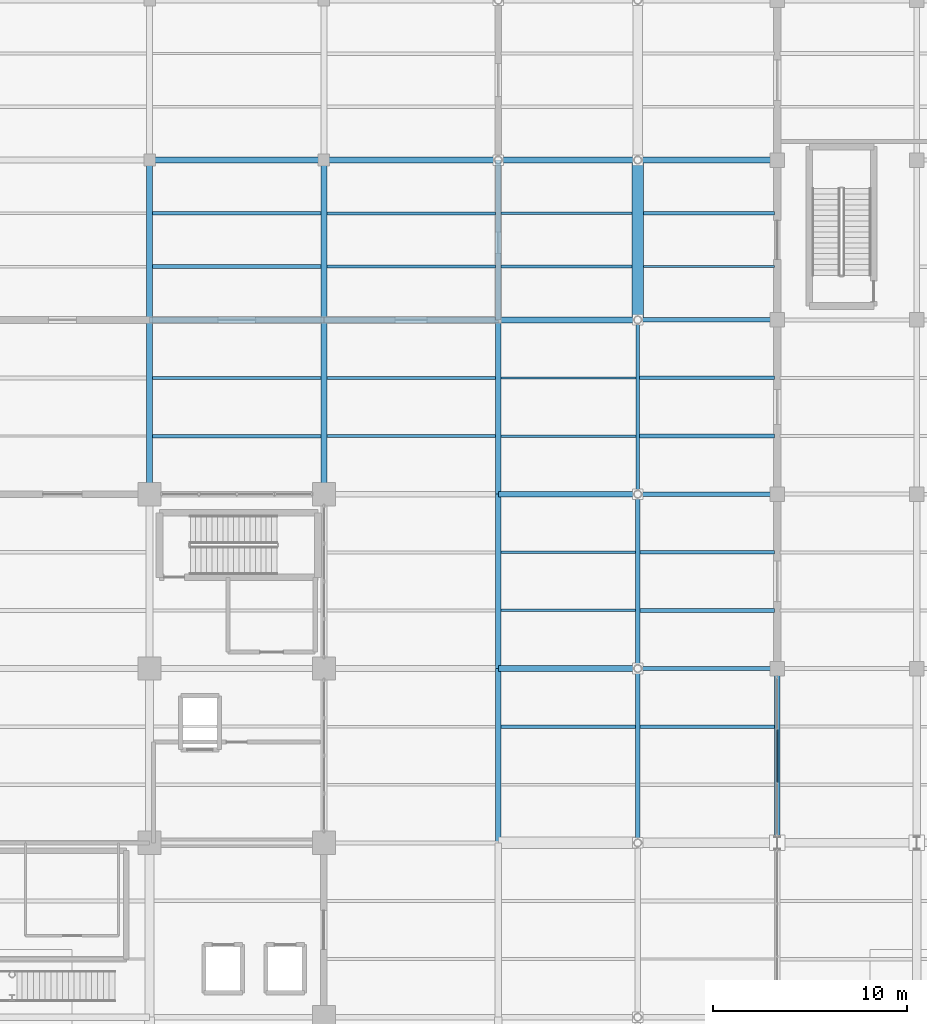
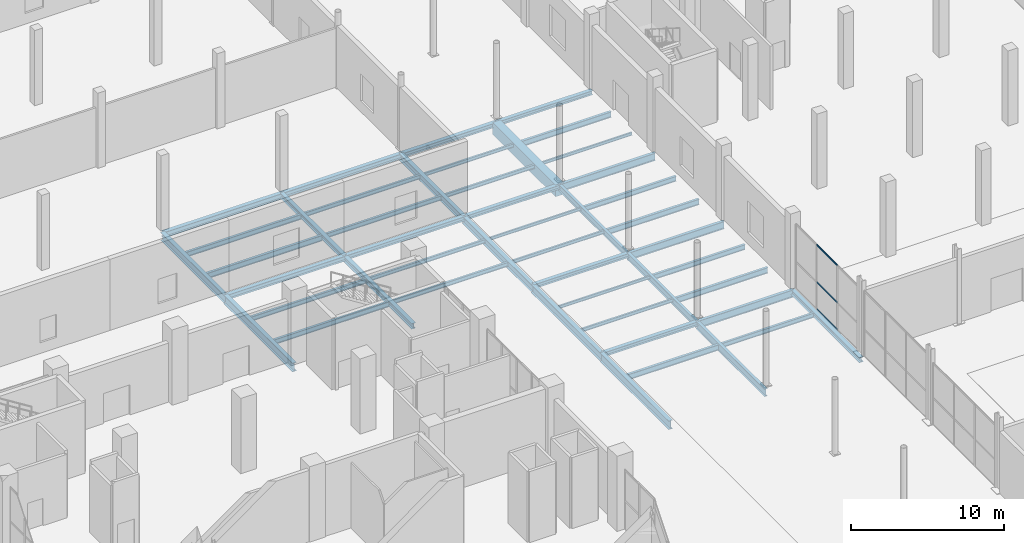
# One storey, part 65 of 144: 47 beams, 3 members, 1 element without a shape of its own.
"""IFC4 building model written with IfcOpenShell, lengths in metres."""

from ifc_helpers import new_model, si_unit, direction, frame, origin, origin_2d, place, context, subcontext, project, spatial, rectangle, hollow_rectangle, i_section, extrude, material, layer, layer_set, material_profile, profile_set, type_object, element, aggregate, save


model = new_model("IFC4")

# Units and contexts
model_context = context("Model", 3, precision=1e-05, world=origin(), true_north=direction((0.0, 1.0)))
body_context = subcontext(model_context, "Body", "Model", "MODEL_VIEW")
ifc_project = project(units=[si_unit("LENGTHUNIT", "METRE"), si_unit("AREAUNIT", "SQUARE_METRE"), si_unit("VOLUMEUNIT", "CUBIC_METRE"), si_unit("PLANEANGLEUNIT", "RADIAN"), si_unit("MASSUNIT", "GRAM", prefix="KILO")], contexts=[model_context])

# Site, building, storey
site_placement = place(None, origin())
site = spatial("IfcSite", under=ifc_project, at=site_placement, CompositionType="ELEMENT")
building_placement = place(site_placement, origin())
building = spatial("IfcBuilding", under=site, at=building_placement, Name="Sundgate Opera House", CompositionType="ELEMENT")
storey_placement = place(building_placement, origin())
storey = spatial("IfcBuildingStorey", under=building, at=storey_placement, Name="L00", CompositionType="ELEMENT", Elevation=0.0)

# Beams
ifc_material_1 = material(Name="Steel S355J2", Category="steel")
ifc_material_profile_1 = material_profile(ifc_material_1, i_section(OverallWidth=0.300048828125, OverallDepth=0.330078125, WebThickness=0.009521484375, FlangeThickness=0.0166015625, at=origin_2d()), Name="HEA 340")
ifc_profile_set_1 = profile_set([ifc_material_profile_1], Name="Steel S355J2")
beam_type_1 = type_object("IfcBeamType", Name="BM-GR-HEA340", PredefinedType="BEAM", material=ifc_profile_set_1)
for number, where, z_axis, x_axis, name in (
    (1, (81.0, 69.0, -0.485107421875), (1.0, 0.0, 0.0), (0.0, 1.0, 0.0), "L00 Primary E-W Girder B0467"),
    (2, (81.0, 78.0, -0.485107421875), (1.0, 0.0, 0.0), (0.0, 1.0, 0.0), "L00 Primary E-W Girder B0489"),
    (3, (81.0, 87.0, -0.485107421875), (1.0, 0.0, 0.0), (0.0, 1.0, 0.0), "L00 Primary E-W Girder B0511"),
    (4, (88.199951171875, 95.25, -0.485107421875), (1.0, 0.0, 0.0), (0.0, 1.0, 0.0), "L00 Primary E-W Girder B0533"),
):
    element("IfcBeam", number, at=place(storey_placement, frame(where, z_axis=z_axis, x_axis=x_axis)), inside=storey, type_object=beam_type_1, Name=name, PredefinedType="BEAM", context=body_context, shape_type="SweptSolid", body=[
        extrude(i_section(OverallWidth=0.300048828125, OverallDepth=0.330078125, WebThickness=0.009521484375, FlangeThickness=0.0166015625, at=origin_2d()), origin(), (0.0, 0.0, 1.0), 7.199951171875),
    ])
ifc_material_2 = material(Name="Steel S355J2", Category="steel")
ifc_material_profile_2 = material_profile(ifc_material_2, i_section(OverallWidth=0.300048828125, OverallDepth=0.35009765625, WebThickness=0.010009765625, FlangeThickness=0.017578125, at=origin_2d()), Name="HEA 360")
ifc_profile_set_2 = profile_set([ifc_material_profile_2], Name="Steel S355J2")
beam_type_2 = type_object("IfcBeamType", Name="BM-GR-HEA360", PredefinedType="BEAM", material=ifc_profile_set_2)
beam_1_placement = place(storey_placement, frame((72.0, 87.0, -0.4951171875), z_axis=(1.0, 0.0, 0.0), x_axis=(0.0, 1.0, 0.0)))
element("IfcBeam", 5, at=beam_1_placement, inside=storey, type_object=beam_type_2, Name="L00 Primary E-W Girder B0510", PredefinedType="BEAM", context=body_context, shape_type="SweptSolid", body=[
    extrude(i_section(OverallWidth=0.300048828125, OverallDepth=0.35009765625, WebThickness=0.010009765625, FlangeThickness=0.017578125, at=origin_2d()), origin(), (0.0, 0.0, 1.0), 9.0),
])
beam_2_placement = place(storey_placement, frame((81.0, 95.25, -0.4951171875), z_axis=(1.0, 0.0, 0.0), x_axis=(0.0, 1.0, 0.0)))
element("IfcBeam", 6, at=beam_2_placement, inside=storey, type_object=beam_type_2, Name="L00 Primary E-W Girder B0532", PredefinedType="BEAM", context=body_context, shape_type="SweptSolid", body=[
    extrude(i_section(OverallWidth=0.300048828125, OverallDepth=0.35009765625, WebThickness=0.010009765625, FlangeThickness=0.017578125, at=origin_2d()), origin(), (0.0, 0.0, 1.0), 7.199951171875),
])
ifc_material_3 = material(Name="Steel S355J2", Category="steel")
ifc_material_profile_3 = material_profile(ifc_material_3, i_section(OverallWidth=0.300048828125, OverallDepth=0.389892578125, WebThickness=0.010986328125, FlangeThickness=0.01904296875, at=origin_2d()), Name="HEA 400")
ifc_profile_set_3 = profile_set([ifc_material_profile_3], Name="Steel S355J2")
beam_type_3 = type_object("IfcBeamType", Name="BM-GR-HEA400", PredefinedType="BEAM", material=ifc_profile_set_3)
beam_3_placement = place(storey_placement, frame((72.0, 87.0, -0.514892578125), z_axis=(0.0, 1.0, 0.0), x_axis=(-1.0, 0.0, 0.0)))
element("IfcBeam", 7, at=beam_3_placement, inside=storey, type_object=beam_type_3, Name="L00 Primary N-S Girder B0158", PredefinedType="BEAM", context=body_context, shape_type="SweptSolid", body=[
    extrude(i_section(OverallWidth=0.300048828125, OverallDepth=0.389892578125, WebThickness=0.010986328125, FlangeThickness=0.01904296875, at=origin_2d()), origin(), (0.0, 0.0, 1.0), 8.25),
])
for number, where, z_axis, x_axis, name in (
    (8, (63.0, 87.0, -0.514892578125), (1.0, 0.0, 0.0), (0.0, 1.0, 0.0), "L00 Primary E-W Girder B0509"),
    (9, (72.0, 95.25, -0.514892578125), (1.0, 0.0, 0.0), (0.0, 1.0, 0.0), "L00 Primary E-W Girder B0531"),
):
    element("IfcBeam", number, at=place(storey_placement, frame(where, z_axis=z_axis, x_axis=x_axis)), inside=storey, type_object=beam_type_3, Name=name, PredefinedType="BEAM", context=body_context, shape_type="SweptSolid", body=[
        extrude(i_section(OverallWidth=0.300048828125, OverallDepth=0.389892578125, WebThickness=0.010986328125, FlangeThickness=0.01904296875, at=origin_2d()), origin(), (0.0, 0.0, 1.0), 9.0),
    ])
ifc_material_4 = material(Name="Steel S355J2", Category="steel")
ifc_material_profile_4 = material_profile(ifc_material_4, i_section(OverallWidth=0.300048828125, OverallDepth=0.43994140625, WebThickness=0.011474609375, FlangeThickness=0.02099609375, at=origin_2d()), Name="HEA 450")
ifc_profile_set_4 = profile_set([ifc_material_profile_4], Name="Steel S355J2")
beam_type_4 = type_object("IfcBeamType", Name="BM-GR-HEA450", PredefinedType="BEAM", material=ifc_profile_set_4)
for number, where, z_axis, x_axis, name in (
    (10, (72.0, 78.0, -0.5400390625), (0.0, 1.0, 0.0), (-1.0, 0.0, 0.0), "L00 Primary N-S Girder B0157"),
    (11, (63.0, 95.25, -0.5400390625), (1.0, 0.0, 0.0), (0.0, 1.0, 0.0), "L00 Primary E-W Girder B0530"),
):
    element("IfcBeam", number, at=place(storey_placement, frame(where, z_axis=z_axis, x_axis=x_axis)), inside=storey, type_object=beam_type_4, Name=name, PredefinedType="BEAM", context=body_context, shape_type="SweptSolid", body=[
        extrude(i_section(OverallWidth=0.300048828125, OverallDepth=0.43994140625, WebThickness=0.011474609375, FlangeThickness=0.02099609375, at=origin_2d()), origin(), (0.0, 0.0, 1.0), 9.0),
    ])
ifc_material_5 = material(Name="Steel S355J2", Category="steel")
ifc_material_profile_5 = material_profile(ifc_material_5, i_section(OverallWidth=0.300048828125, OverallDepth=0.39990234375, WebThickness=0.013427734375, FlangeThickness=0.02392578125, at=origin_2d()), Name="HEB 400")
ifc_profile_set_5 = profile_set([ifc_material_profile_5], Name="Steel S355J2")
beam_type_5 = type_object("IfcBeamType", Name="BM-GR-HEB400", PredefinedType="BEAM", material=ifc_profile_set_5)
beam_4_placement = place(storey_placement, frame((95.39990234375, 60.0, -0.52001953125), z_axis=(0.0, 1.0, 0.0), x_axis=(-1.0, 0.0, 0.0)))
element("IfcBeam", 12, at=beam_4_placement, inside=storey, type_object=beam_type_5, Name="L00 Primary N-S Girder B0197", PredefinedType="BEAM", context=body_context, shape_type="SweptSolid", body=[
    extrude(i_section(OverallWidth=0.300048828125, OverallDepth=0.39990234375, WebThickness=0.013427734375, FlangeThickness=0.02392578125, at=origin_2d()), origin(), (0.0, 0.0, 1.0), 9.0),
])
ifc_material_6 = material(Name="Steel S355J2", Category="steel")
ifc_material_profile_6 = material_profile(ifc_material_6, i_section(OverallWidth=0.300048828125, OverallDepth=0.550048828125, WebThickness=0.014892578125, FlangeThickness=0.029052734375, at=origin_2d()), Name="HEB 550")
ifc_profile_set_6 = profile_set([ifc_material_profile_6], Name="Steel S355J2")
beam_type_6 = type_object("IfcBeamType", Name="BM-GR-HEB550", PredefinedType="BEAM", material=ifc_profile_set_6)
beam_5_placement = place(storey_placement, frame((81.0, 87.0, -0.594970703125), z_axis=(0.0, 1.0, 0.0), x_axis=(-1.0, 0.0, 0.0)))
element("IfcBeam", 13, at=beam_5_placement, inside=storey, type_object=beam_type_6, Name="L00 Primary N-S Girder B0172", PredefinedType="BEAM", context=body_context, shape_type="SweptSolid", body=[
    extrude(i_section(OverallWidth=0.300048828125, OverallDepth=0.550048828125, WebThickness=0.014892578125, FlangeThickness=0.029052734375, at=origin_2d()), origin(), (0.0, 0.0, 1.0), 8.25),
])
ifc_material_7 = material(Name="Steel S355J2", Category="steel")
ifc_material_profile_7 = material_profile(ifc_material_7, i_section(OverallWidth=0.300048828125, OverallDepth=0.60009765625, WebThickness=0.015380859375, FlangeThickness=0.030029296875, at=origin_2d()), Name="HEB 600")
ifc_profile_set_7 = profile_set([ifc_material_profile_7], Name="Steel S355J2")
beam_type_7 = type_object("IfcBeamType", Name="BM-GR-HEB600", PredefinedType="BEAM", material=ifc_profile_set_7)
beam_6_placement = place(storey_placement, frame((81.0, 78.0, -0.6201171875), z_axis=(0.0, 1.0, 0.0), x_axis=(-1.0, 0.0, 0.0)))
element("IfcBeam", 14, at=beam_6_placement, inside=storey, type_object=beam_type_7, Name="L00 Primary N-S Girder B0171", PredefinedType="BEAM", context=body_context, shape_type="SweptSolid", body=[
    extrude(i_section(OverallWidth=0.300048828125, OverallDepth=0.60009765625, WebThickness=0.015380859375, FlangeThickness=0.030029296875, at=origin_2d()), origin(), (0.0, 0.0, 1.0), 9.0),
])
ifc_material_8 = material(Name="Steel S355J2", Category="steel")
ifc_material_profile_8 = material_profile(ifc_material_8, i_section(OverallWidth=0.300048828125, OverallDepth=0.64990234375, WebThickness=0.01611328125, FlangeThickness=0.031005859375, at=origin_2d()), Name="HEB 650")
ifc_profile_set_8 = profile_set([ifc_material_profile_8], Name="Steel S355J2")
beam_type_8 = type_object("IfcBeamType", Name="BM-GR-HEB650", PredefinedType="BEAM", material=ifc_profile_set_8)
beam_7_placement = place(storey_placement, frame((63.0, 87.0, -0.64501953125), z_axis=(0.0, 1.0, 0.0), x_axis=(-1.0, 0.0, 0.0)))
element("IfcBeam", 15, at=beam_7_placement, inside=storey, type_object=beam_type_8, Name="L00 Primary N-S Girder B0148", PredefinedType="BEAM", context=body_context, shape_type="SweptSolid", body=[
    extrude(i_section(OverallWidth=0.300048828125, OverallDepth=0.64990234375, WebThickness=0.01611328125, FlangeThickness=0.031005859375, at=origin_2d()), origin(), (0.0, 0.0, 1.0), 8.25),
])
beam_8_placement = place(storey_placement, frame((81.0, 69.0, -0.64501953125), z_axis=(0.0, 1.0, 0.0), x_axis=(-1.0, 0.0, 0.0)))
element("IfcBeam", 16, at=beam_8_placement, inside=storey, type_object=beam_type_8, Name="L00 Primary N-S Girder B0170", PredefinedType="BEAM", context=body_context, shape_type="SweptSolid", body=[
    extrude(i_section(OverallWidth=0.300048828125, OverallDepth=0.64990234375, WebThickness=0.01611328125, FlangeThickness=0.031005859375, at=origin_2d()), origin(), (0.0, 0.0, 1.0), 9.0),
])
ifc_material_9 = material(Name="Steel S355J2", Category="steel")
ifc_material_profile_9 = material_profile(ifc_material_9, i_section(OverallWidth=0.300048828125, OverallDepth=0.699951171875, WebThickness=0.01708984375, FlangeThickness=0.031982421875, at=origin_2d()), Name="HEB 700")
ifc_profile_set_9 = profile_set([ifc_material_profile_9], Name="Steel S355J2")
beam_type_9 = type_object("IfcBeamType", Name="BM-GR-HEB700", PredefinedType="BEAM", material=ifc_profile_set_9)
for number, where, z_axis, x_axis, name in (
    (17, (63.0, 78.0, -0.669921875), (0.0, 1.0, 0.0), (-1.0, 0.0, 0.0), "L00 Primary N-S Girder B0147"),
    (18, (81.0, 60.0, -0.669921875), (0.0, 1.0, 0.0), (-1.0, 0.0, 0.0), "L00 Primary N-S Girder B0169"),
):
    element("IfcBeam", number, at=place(storey_placement, frame(where, z_axis=z_axis, x_axis=x_axis)), inside=storey, type_object=beam_type_9, Name=name, PredefinedType="BEAM", context=body_context, shape_type="SweptSolid", body=[
        extrude(i_section(OverallWidth=0.300048828125, OverallDepth=0.699951171875, WebThickness=0.01708984375, FlangeThickness=0.031982421875, at=origin_2d()), origin(), (0.0, 0.0, 1.0), 9.0),
    ])
ifc_material_10 = material(Name="Steel S355J2", Category="steel")
ifc_material_profile_10 = material_profile(ifc_material_10, i_section(OverallWidth=0.199951171875, OverallDepth=0.5, WebThickness=0.01025390625, FlangeThickness=0.01611328125, at=origin_2d()), Name="IPE 500")
ifc_profile_set_10 = profile_set([ifc_material_profile_10], Name="Steel S355J2")
beam_type_10 = type_object("IfcBeamType", Name="BM-GR-IPE500", PredefinedType="BEAM", material=ifc_profile_set_10)
beam_9_placement = place(storey_placement, frame((88.199951171875, 78.0, -0.570068359375), z_axis=(0.0, 1.0, 0.0), x_axis=(-1.0, 0.0, 0.0)))
element("IfcBeam", 19, at=beam_9_placement, inside=storey, type_object=beam_type_10, Name="L00 Primary N-S Girder B0185", PredefinedType="BEAM", context=body_context, shape_type="SweptSolid", body=[
    extrude(i_section(OverallWidth=0.199951171875, OverallDepth=0.5, WebThickness=0.01025390625, FlangeThickness=0.01611328125, at=origin_2d()), origin(), (0.0, 0.0, 1.0), 9.0),
])
ifc_material_11 = material(Name="Steel S355J2", Category="steel")
ifc_material_profile_11 = material_profile(ifc_material_11, i_section(OverallWidth=0.2099609375, OverallDepth=0.550048828125, WebThickness=0.010986328125, FlangeThickness=0.01708984375, at=origin_2d()), Name="IPE 550")
ifc_profile_set_11 = profile_set([ifc_material_profile_11], Name="Steel S355J2")
beam_type_11 = type_object("IfcBeamType", Name="BM-GR-IPE550", PredefinedType="BEAM", material=ifc_profile_set_11)
beam_10_placement = place(storey_placement, frame((88.199951171875, 69.0, -0.594970703125), z_axis=(0.0, 1.0, 0.0), x_axis=(-1.0, 0.0, 0.0)))
element("IfcBeam", 20, at=beam_10_placement, inside=storey, type_object=beam_type_11, Name="L00 Primary N-S Girder B0184", PredefinedType="BEAM", context=body_context, shape_type="SweptSolid", body=[
    extrude(i_section(OverallWidth=0.2099609375, OverallDepth=0.550048828125, WebThickness=0.010986328125, FlangeThickness=0.01708984375, at=origin_2d()), origin(), (0.0, 0.0, 1.0), 9.0),
])
ifc_material_12 = material(Name="Steel S355J2", Category="steel")
ifc_material_profile_12 = material_profile(ifc_material_12, i_section(OverallWidth=0.219970703125, OverallDepth=0.60009765625, WebThickness=0.011962890625, FlangeThickness=0.01904296875, at=origin_2d()), Name="IPE 600")
ifc_profile_set_12 = profile_set([ifc_material_profile_12], Name="Steel S355J2")
beam_type_12 = type_object("IfcBeamType", Name="BM-GR-IPE600", PredefinedType="BEAM", material=ifc_profile_set_12)
beam_11_placement = place(storey_placement, frame((88.199951171875, 60.0, -0.6201171875), z_axis=(0.0, 1.0, 0.0), x_axis=(-1.0, 0.0, 0.0)))
element("IfcBeam", 21, at=beam_11_placement, inside=storey, type_object=beam_type_12, Name="L00 Primary N-S Girder B0183", PredefinedType="BEAM", context=body_context, shape_type="SweptSolid", body=[
    extrude(i_section(OverallWidth=0.219970703125, OverallDepth=0.60009765625, WebThickness=0.011962890625, FlangeThickness=0.01904296875, at=origin_2d()), origin(), (0.0, 0.0, 1.0), 9.0),
])
for number, where, z_axis, x_axis, name in (
    (22, (88.199951171875, 69.0, -0.6201171875), (1.0, 0.0, 0.0), (0.0, 1.0, 0.0), "L00 Primary E-W Girder B0468"),
    (23, (88.199951171875, 78.0, -0.6201171875), (1.0, 0.0, 0.0), (0.0, 1.0, 0.0), "L00 Primary E-W Girder B0490"),
    (24, (88.199951171875, 87.0, -0.6201171875), (1.0, 0.0, 0.0), (0.0, 1.0, 0.0), "L00 Primary E-W Girder B0512"),
):
    element("IfcBeam", number, at=place(storey_placement, frame(where, z_axis=z_axis, x_axis=x_axis)), inside=storey, type_object=beam_type_12, Name=name, PredefinedType="BEAM", context=body_context, shape_type="SweptSolid", body=[
        extrude(i_section(OverallWidth=0.219970703125, OverallDepth=0.60009765625, WebThickness=0.011962890625, FlangeThickness=0.01904296875, at=origin_2d()), origin(), (0.0, 0.0, 1.0), 7.199951171875),
    ])
ifc_material_13 = material(Name="Steel S355J2", Category="steel")
ifc_material_profile_13 = material_profile(ifc_material_13, i_section(OverallWidth=0.1201171875, OverallDepth=0.239990234375, WebThickness=0.006103515625, FlangeThickness=0.009765625, at=origin_2d()), Name="IPE 240")
ifc_profile_set_13 = profile_set([ifc_material_profile_13], Name="Steel S355J2")
beam_type_13 = type_object("IfcBeamType", Name="BM-JS-IPE240", PredefinedType="JOIST", material=ifc_profile_set_13)
beam_12_placement = place(storey_placement, frame((81.14990234375, 75.0, -0.43994140625), z_axis=(1.0, 0.0, 0.0), x_axis=(0.0, 1.0, 0.0)))
element("IfcBeam", 25, at=beam_12_placement, inside=storey, type_object=beam_type_13, Name="L00 Secondary Floor Joist B0853", PredefinedType="JOIST", context=body_context, shape_type="SweptSolid", body=[
    extrude(i_section(OverallWidth=0.1201171875, OverallDepth=0.239990234375, WebThickness=0.006103515625, FlangeThickness=0.009765625, at=origin_2d()), origin(), (0.0, 0.0, 1.0), 6.945068359375),
])
beam_13_placement = place(storey_placement, frame((81.14990234375, 84.0, -0.43994140625), z_axis=(1.0, 0.0, 0.0), x_axis=(0.0, 1.0, 0.0)))
element("IfcBeam", 26, at=beam_13_placement, inside=storey, type_object=beam_type_13, Name="L00 Secondary Floor Joist B0895", PredefinedType="JOIST", context=body_context, shape_type="SweptSolid", body=[
    extrude(i_section(OverallWidth=0.1201171875, OverallDepth=0.239990234375, WebThickness=0.006103515625, FlangeThickness=0.009765625, at=origin_2d()), origin(), (0.0, 0.0, 1.0), 6.9501953125),
])
beam_14_placement = place(storey_placement, frame((88.5, 89.75, -0.43994140625), z_axis=(1.0, 0.0, 0.0), x_axis=(0.0, 1.0, 0.0)))
element("IfcBeam", 27, at=beam_14_placement, inside=storey, type_object=beam_type_13, Name="L00 Secondary Floor Joist B0937", PredefinedType="JOIST", context=body_context, shape_type="SweptSolid", body=[
    extrude(i_section(OverallWidth=0.1201171875, OverallDepth=0.239990234375, WebThickness=0.006103515625, FlangeThickness=0.009765625, at=origin_2d()), origin(), (0.0, 0.0, 1.0), 6.75),
])
ifc_material_14 = material(Name="Steel S355J2", Category="steel")
ifc_material_profile_14 = material_profile(ifc_material_14, i_section(OverallWidth=0.135009765625, OverallDepth=0.27001953125, WebThickness=0.006591796875, FlangeThickness=0.01025390625, at=origin_2d()), Name="IPE 270")
ifc_profile_set_14 = profile_set([ifc_material_profile_14], Name="Steel S355J2")
beam_type_14 = type_object("IfcBeamType", Name="BM-JS-IPE270", PredefinedType="JOIST", material=ifc_profile_set_14)
beam_15_placement = place(storey_placement, frame((81.14990234375, 72.0, -0.455078125), z_axis=(1.0, 0.0, 0.0), x_axis=(0.0, 1.0, 0.0)))
element("IfcBeam", 28, at=beam_15_placement, inside=storey, type_object=beam_type_14, Name="L00 Secondary Floor Joist B0852", PredefinedType="JOIST", context=body_context, shape_type="SweptSolid", body=[
    extrude(i_section(OverallWidth=0.135009765625, OverallDepth=0.27001953125, WebThickness=0.006591796875, FlangeThickness=0.01025390625, at=origin_2d()), origin(), (0.0, 0.0, 1.0), 6.945068359375),
])
beam_16_placement = place(storey_placement, frame((81.14990234375, 81.0, -0.455078125), z_axis=(1.0, 0.0, 0.0), x_axis=(0.0, 1.0, 0.0)))
element("IfcBeam", 29, at=beam_16_placement, inside=storey, type_object=beam_type_14, Name="L00 Secondary Floor Joist B0894", PredefinedType="JOIST", context=body_context, shape_type="SweptSolid", body=[
    extrude(i_section(OverallWidth=0.135009765625, OverallDepth=0.27001953125, WebThickness=0.006591796875, FlangeThickness=0.01025390625, at=origin_2d()), origin(), (0.0, 0.0, 1.0), 6.9501953125),
])
beam_17_placement = place(storey_placement, frame((81.14990234375, 92.5, -0.455078125), z_axis=(1.0, 0.0, 0.0), x_axis=(0.0, 1.0, 0.0)))
element("IfcBeam", 30, at=beam_17_placement, inside=storey, type_object=beam_type_14, Name="L00 Secondary Floor Joist B0936", PredefinedType="JOIST", context=body_context, shape_type="SweptSolid", body=[
    extrude(i_section(OverallWidth=0.135009765625, OverallDepth=0.27001953125, WebThickness=0.006591796875, FlangeThickness=0.01025390625, at=origin_2d()), origin(), (0.0, 0.0, 1.0), 6.75),
])
ifc_material_15 = material(Name="Steel S355J2", Category="steel")
ifc_material_profile_15 = material_profile(ifc_material_15, i_section(OverallWidth=0.14990234375, OverallDepth=0.300048828125, WebThickness=0.007080078125, FlangeThickness=0.0107421875, at=origin_2d()), Name="IPE 300")
ifc_profile_set_15 = profile_set([ifc_material_profile_15], Name="Steel S355J2")
beam_type_15 = type_object("IfcBeamType", Name="BM-JS-IPE300", PredefinedType="JOIST", material=ifc_profile_set_15)
beam_18_placement = place(storey_placement, frame((72.14990234375, 84.0, -0.469970703125), z_axis=(1.0, 0.0, 0.0), x_axis=(0.0, 1.0, 0.0)))
element("IfcBeam", 31, at=beam_18_placement, inside=storey, type_object=beam_type_15, Name="L00 Secondary Floor Joist B0893", PredefinedType="JOIST", context=body_context, shape_type="SweptSolid", body=[
    extrude(i_section(OverallWidth=0.14990234375, OverallDepth=0.300048828125, WebThickness=0.007080078125, FlangeThickness=0.0107421875, at=origin_2d()), origin(), (0.0, 0.0, 1.0), 8.7001953125),
])
beam_19_placement = place(storey_placement, frame((81.14990234375, 89.75, -0.469970703125), z_axis=(1.0, 0.0, 0.0), x_axis=(0.0, 1.0, 0.0)))
element("IfcBeam", 32, at=beam_19_placement, inside=storey, type_object=beam_type_15, Name="L00 Secondary Floor Joist B0935", PredefinedType="JOIST", context=body_context, shape_type="SweptSolid", body=[
    extrude(i_section(OverallWidth=0.14990234375, OverallDepth=0.300048828125, WebThickness=0.007080078125, FlangeThickness=0.0107421875, at=origin_2d()), origin(), (0.0, 0.0, 1.0), 6.75),
])
ifc_material_16 = material(Name="Steel S355J2", Category="steel")
ifc_material_profile_16 = material_profile(ifc_material_16, i_section(OverallWidth=0.159912109375, OverallDepth=0.330078125, WebThickness=0.007568359375, FlangeThickness=0.011474609375, at=origin_2d()), Name="IPE 330")
ifc_profile_set_16 = profile_set([ifc_material_profile_16], Name="Steel S355J2")
beam_type_16 = type_object("IfcBeamType", Name="BM-JS-IPE330", PredefinedType="JOIST", material=ifc_profile_set_16)
for number, where, z_axis, x_axis, name in (
    (33, (72.14990234375, 81.0, -0.485107421875), (1.0, 0.0, 0.0), (0.0, 1.0, 0.0), "L00 Secondary Floor Joist B0892"),
    (34, (72.14990234375, 92.5, -0.485107421875), (1.0, 0.0, 0.0), (0.0, 1.0, 0.0), "L00 Secondary Floor Joist B0934"),
):
    element("IfcBeam", number, at=place(storey_placement, frame(where, z_axis=z_axis, x_axis=x_axis)), inside=storey, type_object=beam_type_16, Name=name, PredefinedType="JOIST", context=body_context, shape_type="SweptSolid", body=[
        extrude(i_section(OverallWidth=0.159912109375, OverallDepth=0.330078125, WebThickness=0.007568359375, FlangeThickness=0.011474609375, at=origin_2d()), origin(), (0.0, 0.0, 1.0), 8.7001953125),
    ])
ifc_material_17 = material(Name="Steel S355J2", Category="steel")
ifc_material_profile_17 = material_profile(ifc_material_17, i_section(OverallWidth=0.169921875, OverallDepth=0.360107421875, WebThickness=0.008056640625, FlangeThickness=0.0126953125, at=origin_2d()), Name="IPE 360")
ifc_profile_set_17 = profile_set([ifc_material_profile_17], Name="Steel S355J2")
beam_type_17 = type_object("IfcBeamType", Name="BM-JS-IPE360", PredefinedType="JOIST", material=ifc_profile_set_17)
beam_20_placement = place(storey_placement, frame((88.31005859375, 66.0, -0.5), z_axis=(1.0, 0.0, 0.0), x_axis=(0.0, 1.0, 0.0)))
element("IfcBeam", 35, at=beam_20_placement, inside=storey, type_object=beam_type_17, Name="L00 Secondary Floor Joist B0821", PredefinedType="JOIST", context=body_context, shape_type="SweptSolid", body=[
    extrude(i_section(OverallWidth=0.169921875, OverallDepth=0.360107421875, WebThickness=0.008056640625, FlangeThickness=0.0126953125, at=origin_2d()), origin(), (0.0, 0.0, 1.0), 6.93994140625),
])
for number, where, z_axis, x_axis, name in (
    (36, (63.14990234375, 84.0, -0.5), (1.0, 0.0, 0.0), (0.0, 1.0, 0.0), "L00 Secondary Floor Joist B0891"),
    (37, (72.14990234375, 89.75, -0.5), (1.0, 0.0, 0.0), (0.0, 1.0, 0.0), "L00 Secondary Floor Joist B0933"),
):
    element("IfcBeam", number, at=place(storey_placement, frame(where, z_axis=z_axis, x_axis=x_axis)), inside=storey, type_object=beam_type_17, Name=name, PredefinedType="JOIST", context=body_context, shape_type="SweptSolid", body=[
        extrude(i_section(OverallWidth=0.169921875, OverallDepth=0.360107421875, WebThickness=0.008056640625, FlangeThickness=0.0126953125, at=origin_2d()), origin(), (0.0, 0.0, 1.0), 8.7001953125),
    ])
ifc_material_18 = material(Name="Steel S355J2", Category="steel")
ifc_material_profile_18 = material_profile(ifc_material_18, i_section(OverallWidth=0.179931640625, OverallDepth=0.39990234375, WebThickness=0.008544921875, FlangeThickness=0.013427734375, at=origin_2d()), Name="IPE 400")
ifc_profile_set_18 = profile_set([ifc_material_profile_18], Name="Steel S355J2")
beam_type_18 = type_object("IfcBeamType", Name="BM-JS-IPE400", PredefinedType="JOIST", material=ifc_profile_set_18)
beam_21_placement = place(storey_placement, frame((88.304931640625, 75.0, -0.52001953125), z_axis=(1.0, 0.0, 0.0), x_axis=(0.0, 1.0, 0.0)))
element("IfcBeam", 38, at=beam_21_placement, inside=storey, type_object=beam_type_18, Name="L00 Secondary Floor Joist B0855", PredefinedType="JOIST", context=body_context, shape_type="SweptSolid", body=[
    extrude(i_section(OverallWidth=0.179931640625, OverallDepth=0.39990234375, WebThickness=0.008544921875, FlangeThickness=0.013427734375, at=origin_2d()), origin(), (0.0, 0.0, 1.0), 6.945068359375),
])
beam_22_placement = place(storey_placement, frame((63.14990234375, 81.0, -0.52001953125), z_axis=(1.0, 0.0, 0.0), x_axis=(0.0, 1.0, 0.0)))
element("IfcBeam", 39, at=beam_22_placement, inside=storey, type_object=beam_type_18, Name="L00 Secondary Floor Joist B0890", PredefinedType="JOIST", context=body_context, shape_type="SweptSolid", body=[
    extrude(i_section(OverallWidth=0.179931640625, OverallDepth=0.39990234375, WebThickness=0.008544921875, FlangeThickness=0.013427734375, at=origin_2d()), origin(), (0.0, 0.0, 1.0), 8.7001953125),
])
beam_23_placement = place(storey_placement, frame((88.300048828125, 84.0, -0.52001953125), z_axis=(1.0, 0.0, 0.0), x_axis=(0.0, 1.0, 0.0)))
element("IfcBeam", 40, at=beam_23_placement, inside=storey, type_object=beam_type_18, Name="L00 Secondary Floor Joist B0897", PredefinedType="JOIST", context=body_context, shape_type="SweptSolid", body=[
    extrude(i_section(OverallWidth=0.179931640625, OverallDepth=0.39990234375, WebThickness=0.008544921875, FlangeThickness=0.013427734375, at=origin_2d()), origin(), (0.0, 0.0, 1.0), 6.949951171875),
])
beam_24_placement = place(storey_placement, frame((63.14990234375, 92.5, -0.52001953125), z_axis=(1.0, 0.0, 0.0), x_axis=(0.0, 1.0, 0.0)))
element("IfcBeam", 41, at=beam_24_placement, inside=storey, type_object=beam_type_18, Name="L00 Secondary Floor Joist B0932", PredefinedType="JOIST", context=body_context, shape_type="SweptSolid", body=[
    extrude(i_section(OverallWidth=0.179931640625, OverallDepth=0.39990234375, WebThickness=0.008544921875, FlangeThickness=0.013427734375, at=origin_2d()), origin(), (0.0, 0.0, 1.0), 8.7001953125),
])
ifc_material_19 = material(Name="Steel S355J2", Category="steel")
ifc_material_profile_19 = material_profile(ifc_material_19, i_section(OverallWidth=0.18994140625, OverallDepth=0.449951171875, WebThickness=0.009521484375, FlangeThickness=0.0146484375, at=origin_2d()), Name="IPE 450")
ifc_profile_set_19 = profile_set([ifc_material_profile_19], Name="Steel S355J2")
beam_type_19 = type_object("IfcBeamType", Name="BM-JS-IPE450", PredefinedType="JOIST", material=ifc_profile_set_19)
beam_25_placement = place(storey_placement, frame((81.14990234375, 66.0, -0.544921875), z_axis=(1.0, 0.0, 0.0), x_axis=(0.0, 1.0, 0.0)))
element("IfcBeam", 42, at=beam_25_placement, inside=storey, type_object=beam_type_19, Name="L00 Secondary Floor Joist B0819", PredefinedType="JOIST", context=body_context, shape_type="SweptSolid", body=[
    extrude(i_section(OverallWidth=0.18994140625, OverallDepth=0.449951171875, WebThickness=0.009521484375, FlangeThickness=0.0146484375, at=origin_2d()), origin(), (0.0, 0.0, 1.0), 6.940185546875),
])
beam_26_placement = place(storey_placement, frame((88.304931640625, 72.0, -0.544921875), z_axis=(1.0, 0.0, 0.0), x_axis=(0.0, 1.0, 0.0)))
element("IfcBeam", 43, at=beam_26_placement, inside=storey, type_object=beam_type_19, Name="L00 Secondary Floor Joist B0854", PredefinedType="JOIST", context=body_context, shape_type="SweptSolid", body=[
    extrude(i_section(OverallWidth=0.18994140625, OverallDepth=0.449951171875, WebThickness=0.009521484375, FlangeThickness=0.0146484375, at=origin_2d()), origin(), (0.0, 0.0, 1.0), 6.945068359375),
])
beam_27_placement = place(storey_placement, frame((88.300048828125, 81.0, -0.544921875), z_axis=(1.0, 0.0, 0.0), x_axis=(0.0, 1.0, 0.0)))
element("IfcBeam", 44, at=beam_27_placement, inside=storey, type_object=beam_type_19, Name="L00 Secondary Floor Joist B0896", PredefinedType="JOIST", context=body_context, shape_type="SweptSolid", body=[
    extrude(i_section(OverallWidth=0.18994140625, OverallDepth=0.449951171875, WebThickness=0.009521484375, FlangeThickness=0.0146484375, at=origin_2d()), origin(), (0.0, 0.0, 1.0), 6.949951171875),
])
beam_28_placement = place(storey_placement, frame((63.14990234375, 89.75, -0.544921875), z_axis=(1.0, 0.0, 0.0), x_axis=(0.0, 1.0, 0.0)))
element("IfcBeam", 45, at=beam_28_placement, inside=storey, type_object=beam_type_19, Name="L00 Secondary Floor Joist B0931", PredefinedType="JOIST", context=body_context, shape_type="SweptSolid", body=[
    extrude(i_section(OverallWidth=0.18994140625, OverallDepth=0.449951171875, WebThickness=0.009521484375, FlangeThickness=0.0146484375, at=origin_2d()), origin(), (0.0, 0.0, 1.0), 8.7001953125),
])
beam_29_placement = place(storey_placement, frame((88.5, 92.5, -0.544921875), z_axis=(1.0, 0.0, 0.0), x_axis=(0.0, 1.0, 0.0)))
element("IfcBeam", 46, at=beam_29_placement, inside=storey, type_object=beam_type_19, Name="L00 Secondary Floor Joist B0938", PredefinedType="JOIST", context=body_context, shape_type="SweptSolid", body=[
    extrude(i_section(OverallWidth=0.18994140625, OverallDepth=0.449951171875, WebThickness=0.009521484375, FlangeThickness=0.0146484375, at=origin_2d()), origin(), (0.0, 0.0, 1.0), 6.75),
])
ifc_material_20 = material(Name="Concrete C40/50", Category="concrete")
ifc_material_profile_20 = material_profile(ifc_material_20, rectangle(XDim=0.60009765625, YDim=0.949951171875, at=origin_2d()), Name="RC 600x950")
ifc_profile_set_20 = profile_set([ifc_material_profile_20], Name="Concrete C40/50")
beam_type_20 = type_object("IfcBeamType", Name="BM-RC-600x950", PredefinedType="BEAM", material=ifc_profile_set_20)
beam_30_placement = place(storey_placement, frame((88.199951171875, 87.0, -0.794921875), z_axis=(0.0, 1.0, 0.0), x_axis=(-1.0, 0.0, 0.0)))
element("IfcBeam", 47, at=beam_30_placement, inside=storey, type_object=beam_type_20, Name="L00 Primary N-S Girder B0186", PredefinedType="BEAM", context=body_context, shape_type="SweptSolid", body=[
    extrude(rectangle(XDim=0.60009765625, YDim=0.949951171875, at=origin_2d()), origin(), (0.0, 0.0, 1.0), 8.25),
])

# Curtain wall, members
ifc_material_21 = material(Name="Anodized aluminium and low-iron glass", Category="aluminium")
ifc_layer = layer(ifc_material_21, 0.159912109375)
ifc_layer_set = layer_set([ifc_layer], Name="Anodized aluminium and low-iron glass")
curtain_wall_type = type_object("IfcCurtainWallType", Name="CW-STUDIO-DARK", PredefinedType="NOTDEFINED", material=ifc_layer_set)
curtain_wall_placement = place(storey_placement, origin())
curtain_wall = element("IfcCurtainWall", 48, at=curtain_wall_placement, inside=storey, type_object=curtain_wall_type, Name="L00 Curtain Wall CW032", PredefinedType="NOTDEFINED")
ifc_material_22 = material(Name="Anodized aluminium EN AW-6063", Category="aluminium")
ifc_material_profile_21 = material_profile(ifc_material_22, hollow_rectangle(XDim=0.054931640625, YDim=0.1201171875, WallThickness=0.00390625, at=origin_2d()), Name="CWT 120x55x4")
ifc_profile_set_21 = profile_set([ifc_material_profile_21], Name="Anodized aluminium EN AW-6063")
member_type = type_object("IfcMemberType", Name="CWT-ALU-120x55", PredefinedType="USERDEFINED", material=ifc_profile_set_21)
member_1_placement = place(storey_placement, frame((95.39990234375, 65.833251953125, 0.0), z_axis=(0.0, -1.0, 0.0), x_axis=(1.0, 0.0, 0.0)))
member_1 = element("IfcMember", 49, at=member_1_placement, type_object=member_type, Name="CW032 Transom 4", ObjectType="TRANSOM", PredefinedType="USERDEFINED", context=body_context, shape_type="SweptSolid", body=[
    extrude(hollow_rectangle(XDim=0.054931640625, YDim=0.1201171875, WallThickness=0.00390625, at=origin_2d()), origin(), (0.0, 0.0, 1.0), 2.716552734375),
])
member_2_placement = place(storey_placement, frame((95.39990234375, 65.833251953125, 2.14990234375), z_axis=(0.0, -1.0, 0.0), x_axis=(1.0, 0.0, 0.0)))
member_2 = element("IfcMember", 50, at=member_2_placement, type_object=member_type, Name="CW032 Transom 5", ObjectType="TRANSOM", PredefinedType="USERDEFINED", context=body_context, shape_type="SweptSolid", body=[
    extrude(hollow_rectangle(XDim=0.054931640625, YDim=0.1201171875, WallThickness=0.00390625, at=origin_2d()), origin(), (0.0, 0.0, 1.0), 2.716552734375),
])
member_3_placement = place(storey_placement, frame((95.39990234375, 65.833251953125, 5.114990234375), z_axis=(0.0, -1.0, 0.0), x_axis=(1.0, 0.0, 0.0)))
member_3 = element("IfcMember", 51, at=member_3_placement, type_object=member_type, Name="CW032 Transom 6", ObjectType="TRANSOM", PredefinedType="USERDEFINED", context=body_context, shape_type="SweptSolid", body=[
    extrude(hollow_rectangle(XDim=0.054931640625, YDim=0.1201171875, WallThickness=0.00390625, at=origin_2d()), origin(), (0.0, 0.0, 1.0), 2.716552734375),
])
aggregate(curtain_wall, [member_1, member_2, member_3])

save(model, "model.ifc")
